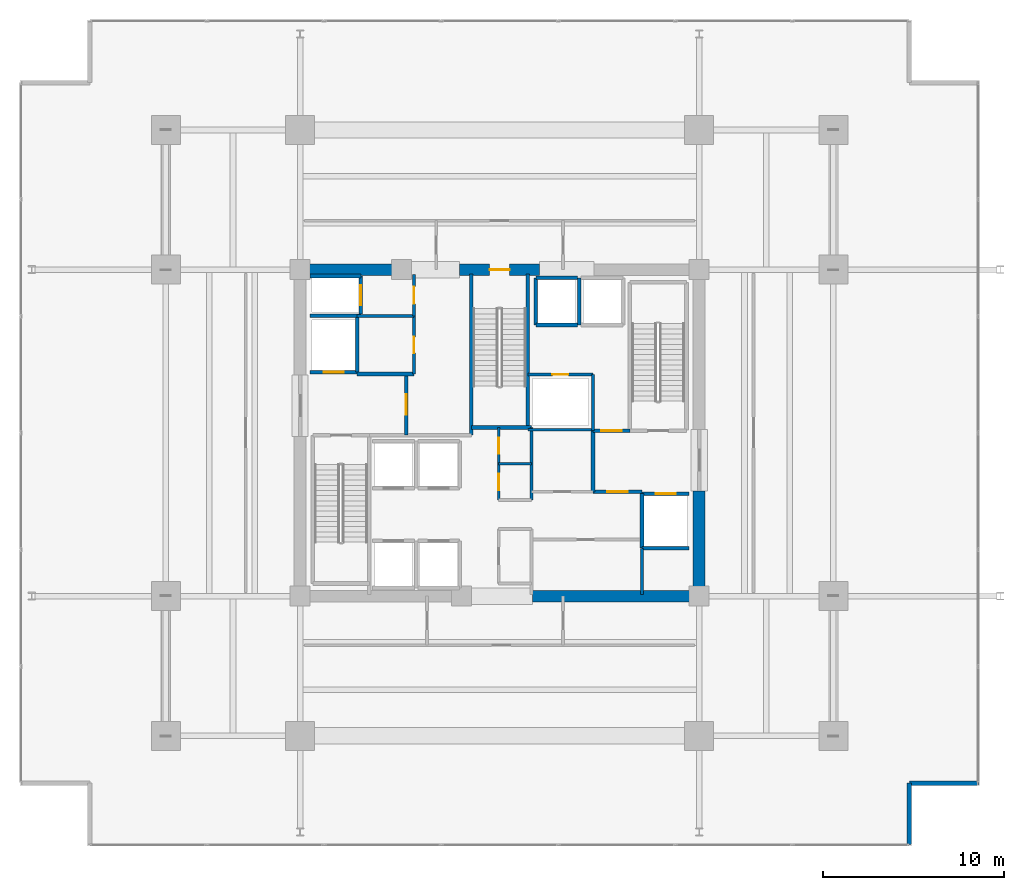
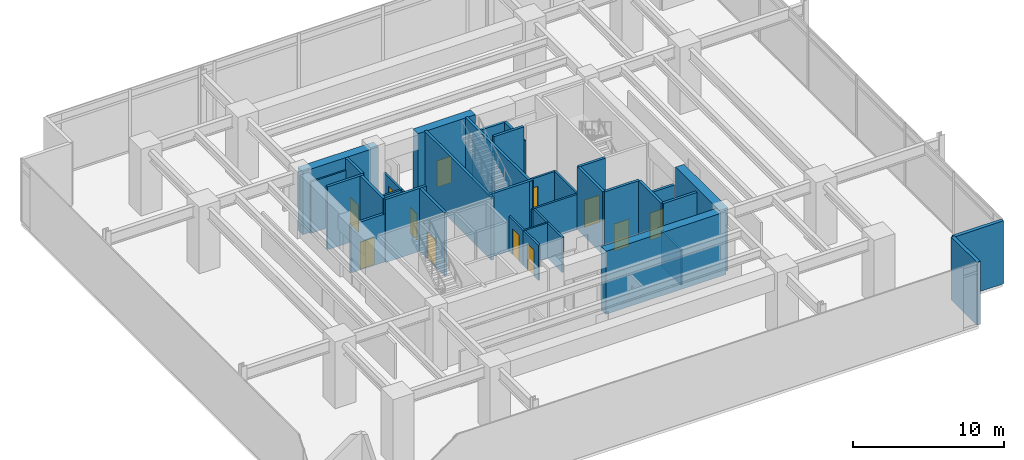
# One storey, part 21 of 23: 37 walls, 12 doors, 12 openings.
"""IFC4 building model written with IfcOpenShell, lengths in metres."""

from ifc_helpers import new_model, si_unit, direction, frame, frame_2d, origin, place, context, subcontext, project, spatial, rectangle, extrude, material, layer, layer_set, type_object, element, fill, save


model = new_model("IFC4")

# Units and contexts
model_context = context("Model", 3, precision=1e-05, world=origin(), true_north=direction((0.0, 1.0)))
body_context = subcontext(model_context, "Body", "Model", "MODEL_VIEW")
ifc_project = project(units=[si_unit("LENGTHUNIT", "METRE"), si_unit("AREAUNIT", "SQUARE_METRE"), si_unit("VOLUMEUNIT", "CUBIC_METRE"), si_unit("PLANEANGLEUNIT", "RADIAN"), si_unit("MASSUNIT", "GRAM", prefix="KILO")], contexts=[model_context])

# Site, building, storey
site_placement = place(None, origin())
site = spatial("IfcSite", under=ifc_project, at=site_placement, CompositionType="ELEMENT")
building_placement = place(site_placement, origin())
building = spatial("IfcBuilding", under=site, at=building_placement, Name="Kovane Verandah Tower", CompositionType="ELEMENT")
storey_placement = place(building_placement, frame((0.0, 0.0, 107.60009765625)))
storey = spatial("IfcBuildingStorey", under=building, at=storey_placement, Name="L25", CompositionType="ELEMENT", Elevation=107.60009765625)

# Wall
ifc_material_1 = material(Name="Fire-Rated Gypsum Stud Partition", Category="gypsum")
ifc_layer_1 = layer(ifc_material_1, 0.14990234375)
ifc_layer_set_1 = layer_set([ifc_layer_1], Name="Fire-Rated Gypsum Stud Partition")
wall_type_1 = type_object("IfcWallType", Name="WL-COR-150", PredefinedType="PARTITIONING", material=ifc_layer_set_1)
wall_1_placement = place(storey_placement, frame((41.760009765625, 23.800048828125, 0.0), z_axis=(0.0, 0.0, 1.0), x_axis=(0.0, 1.0, 0.0)))
element("IfcWall", 1, at=wall_1_placement, inside=storey, type_object=wall_type_1, Name="L25 Central Core Strip Upper East Wall", PredefinedType="PARTITIONING", context=body_context, shape_type="SweptSolid", body=[
    extrude(rectangle(XDim=4.0, YDim=0.14990234375, at=frame_2d((2.0, 0.0))), origin(), (0.0, 0.0, 1.0), 2.849853515625),
])

# Wall, opening, door
wall_2_placement = place(storey_placement, frame((39.949951171875, 23.800048828125, 0.0), z_axis=(0.0, 0.0, 1.0), x_axis=(0.0, 1.0, 0.0)))
wall_2 = element("IfcWall", 2, at=wall_2_placement, inside=storey, type_object=wall_type_1, Name="L25 Female Toilet Partition", PredefinedType="PARTITIONING", context=body_context, shape_type="SweptSolid", body=[
    extrude(rectangle(XDim=2.0, YDim=0.14990234375, at=frame_2d((1.0, 0.0))), origin(), (0.0, 0.0, 1.0), 2.849853515625),
])
opening_1_placement = place(wall_2_placement, frame((0.550048828125, 0.0, 0.0)))
opening_1 = element("IfcOpeningElement", 3, at=opening_1_placement, cuts=wall_2, Name="Opening DR-L25-023", PredefinedType="OPENING", context=body_context, shape_type="SweptSolid", body=[
    extrude(rectangle(XDim=0.89990234375, YDim=2.10009765625, at=frame_2d((0.449951171875, 1.050048828125))), frame((0.0, 0.074951171875, 0.0), z_axis=(0.0, -1.0, 0.0), x_axis=(1.0, 0.0, 0.0)), (0.0, 0.0, 1.0), 0.14990234375),
])
ifc_material_2 = material(Name="Moisture-Resistant Laminate Washroom Door", Category="wood")
door_type_1 = type_object("IfcDoorType", Name="DR-WC-900", OperationType="SINGLE_SWING_LEFT", PredefinedType="DOOR", material=ifc_material_2)
door_1_placement = place(opening_1_placement, origin())
door_1 = element("IfcDoor", 4, at=door_1_placement, inside=storey, type_object=door_type_1, Name="L25 Female Toilet Door", OperationType="SINGLE_SWING_RIGHT", OverallHeight=2.10009765625, OverallWidth=0.89990234375, PredefinedType="DOOR", context=body_context, shape_type="SweptSolid", body=[
    extrude(rectangle(XDim=0.89990234375, YDim=2.10009765625, at=frame_2d((0.449951171875, 1.050048828125))), frame((0.0, 0.02490234375, 0.0), z_axis=(0.0, -1.0, 0.0), x_axis=(1.0, 0.0, 0.0)), (0.0, 0.0, 1.0), 0.050048828125),
])
fill(opening_1, door_1)

wall_3_placement = place(storey_placement, frame((39.949951171875, 25.800048828125, 0.0), z_axis=(0.0, 0.0, 1.0), x_axis=(0.0, 1.0, 0.0)))
wall_3 = element("IfcWall", 5, at=wall_3_placement, inside=storey, type_object=wall_type_1, Name="L25 Telecom and BMS Riser Room Partition", PredefinedType="PARTITIONING", context=body_context, shape_type="SweptSolid", body=[
    extrude(rectangle(XDim=2.0, YDim=0.14990234375, at=frame_2d((1.0, 0.0))), origin(), (0.0, 0.0, 1.0), 2.849853515625),
])
opening_2_placement = place(wall_3_placement, frame((0.56005859375, 0.0, 0.0)))
opening_2 = element("IfcOpeningElement", 6, at=opening_2_placement, cuts=wall_3, Name="Opening DR-L25-020", PredefinedType="OPENING", context=body_context, shape_type="SweptSolid", body=[
    extrude(rectangle(XDim=0.8798828125, YDim=2.10009765625, at=frame_2d((0.43994140625, 1.050048828125))), frame((0.0, 0.074951171875, 0.0), z_axis=(0.0, -1.0, 0.0), x_axis=(1.0, 0.0, 0.0)), (0.0, 0.0, 1.0), 0.14990234375),
])
ifc_material_3 = material(Name="Fire-Rated Steel Riser Access Door", Category="steel")
door_type_2 = type_object("IfcDoorType", Name="DR-RISER-880", OperationType="SINGLE_SWING_LEFT", PredefinedType="DOOR", material=ifc_material_3)
door_2_placement = place(opening_2_placement, origin())
door_2 = element("IfcDoor", 7, at=door_2_placement, inside=storey, type_object=door_type_2, Name="L25 Telecom and BMS Riser Room Door", OperationType="SINGLE_SWING_LEFT", OverallHeight=2.10009765625, OverallWidth=0.8798828125, PredefinedType="DOOR", context=body_context, shape_type="SweptSolid", body=[
    extrude(rectangle(XDim=0.8798828125, YDim=2.10009765625, at=frame_2d((0.43994140625, 1.050048828125))), frame((0.0, 0.02490234375, 0.0), z_axis=(0.0, -1.0, 0.0), x_axis=(1.0, 0.0, 0.0)), (0.0, 0.0, 1.0), 0.050048828125),
])
fill(opening_2, door_2)

# Wall
wall_4_placement = place(storey_placement, frame((32.14990234375, 33.949951171875, 0.0), z_axis=(0.0, 0.0, 1.0), x_axis=(1.0, 0.0, 0.0)))
element("IfcWall", 8, at=wall_4_placement, inside=storey, type_object=wall_type_1, Name="L25 Goods Lift Lobby South Wall", PredefinedType="PARTITIONING", context=body_context, shape_type="SweptSolid", body=[
    extrude(rectangle(XDim=3.130126953125, YDim=0.14990234375, at=frame_2d((1.56494140625, 0.0))), origin(), (0.0, 0.0, 1.0), 2.849853515625),
])

# Wall, opening, door
wall_5_placement = place(storey_placement, frame((35.280029296875, 33.949951171875, 0.0), z_axis=(0.0, 0.0, 1.0), x_axis=(0.0, 1.0, 0.0)))
wall_5 = element("IfcWall", 9, at=wall_5_placement, inside=storey, type_object=wall_type_1, Name="L25 Goods Lift Lobby East Fire Partition", PredefinedType="PARTITIONING", context=body_context, shape_type="SweptSolid", body=[
    extrude(rectangle(XDim=2.27001953125, YDim=0.14990234375, at=frame_2d((1.135009765625, 0.0))), origin(), (0.0, 0.0, 1.0), 2.849853515625),
])
opening_3_placement = place(wall_5_placement, frame((0.659912109375, 0.0, 0.0)))
opening_3 = element("IfcOpeningElement", 10, at=opening_3_placement, cuts=wall_5, Name="Opening DR-L25-006", PredefinedType="OPENING", context=body_context, shape_type="SweptSolid", body=[
    extrude(rectangle(XDim=0.949951171875, YDim=2.14990234375, at=frame_2d((0.47509765625, 1.074951171875))), frame((0.0, 0.074951171875, 0.0), z_axis=(0.0, -1.0, 0.0), x_axis=(1.0, 0.0, 0.0)), (0.0, 0.0, 1.0), 0.14990234375),
])
ifc_material_4 = material(Name="Fire-Rated Steel Refuge and Lobby Door", Category="steel")
door_type_3 = type_object("IfcDoorType", Name="DR-FIRE-950", OperationType="SINGLE_SWING_LEFT", PredefinedType="DOOR", material=ifc_material_4)
door_3_placement = place(opening_3_placement, origin())
door_3 = element("IfcDoor", 11, at=door_3_placement, inside=storey, type_object=door_type_3, Name="L25 Goods Lift Lobby Fire Door", OperationType="SINGLE_SWING_RIGHT", OverallHeight=2.14990234375, OverallWidth=0.949951171875, PredefinedType="DOOR", context=body_context, shape_type="SweptSolid", body=[
    extrude(rectangle(XDim=0.949951171875, YDim=2.14990234375, at=frame_2d((0.47509765625, 1.074951171875))), frame((0.0, 0.02490234375, 0.0), z_axis=(0.0, -1.0, 0.0), x_axis=(1.0, 0.0, 0.0)), (0.0, 0.0, 1.0), 0.050048828125),
])
fill(opening_3, door_3)

wall_6_placement = place(storey_placement, frame((35.280029296875, 30.75, 0.0), z_axis=(0.0, 0.0, 1.0), x_axis=(0.0, 1.0, 0.0)))
wall_6 = element("IfcWall", 12, at=wall_6_placement, inside=storey, type_object=wall_type_1, Name="L25 Accessible Unisex Toilet Partition", PredefinedType="PARTITIONING", context=body_context, shape_type="SweptSolid", body=[
    extrude(rectangle(XDim=3.199951171875, YDim=0.14990234375, at=frame_2d((1.60009765625, 0.0))), origin(), (0.0, 0.0, 1.0), 2.849853515625),
])
opening_4_placement = place(wall_6_placement, frame((1.14990234375, 0.0, 0.0)))
opening_4 = element("IfcOpeningElement", 13, at=opening_4_placement, cuts=wall_6, Name="Opening DR-L25-022", PredefinedType="OPENING", context=body_context, shape_type="SweptSolid", body=[
    extrude(rectangle(XDim=0.89990234375, YDim=2.10009765625, at=frame_2d((0.449951171875, 1.050048828125))), frame((0.0, 0.074951171875, 0.0), z_axis=(0.0, -1.0, 0.0), x_axis=(1.0, 0.0, 0.0)), (0.0, 0.0, 1.0), 0.14990234375),
])
door_4_placement = place(opening_4_placement, origin())
door_4 = element("IfcDoor", 14, at=door_4_placement, inside=storey, type_object=door_type_1, Name="L25 Accessible Unisex Toilet Door", OperationType="SINGLE_SWING_LEFT", OverallHeight=2.10009765625, OverallWidth=0.89990234375, PredefinedType="DOOR", context=body_context, shape_type="SweptSolid", body=[
    extrude(rectangle(XDim=0.89990234375, YDim=2.10009765625, at=frame_2d((0.449951171875, 1.050048828125))), frame((0.0, 0.02490234375, 0.0), z_axis=(0.0, -1.0, 0.0), x_axis=(1.0, 0.0, 0.0)), (0.0, 0.0, 1.0), 0.050048828125),
])
fill(opening_4, door_4)

# Walls
wall_7_placement = place(storey_placement, frame((41.56005859375, 27.679931640625, 0.0), z_axis=(0.0, 0.0, 1.0), x_axis=(1.0, 0.0, 0.0)))
element("IfcWall", 15, at=wall_7_placement, inside=storey, type_object=wall_type_1, Name="L25 East Core Service Riser South Wall", PredefinedType="PARTITIONING", context=body_context, shape_type="SweptSolid", body=[
    extrude(rectangle(XDim=3.58984375, YDim=0.14990234375, at=frame_2d((1.794921875, 0.0))), origin(), (0.0, 0.0, 1.0), 2.849853515625),
])
wall_8_placement = place(storey_placement, frame((47.85009765625, 18.60009765625, 0.0), z_axis=(0.0, 0.0, 1.0), x_axis=(0.0, 1.0, 0.0)))
element("IfcWall", 16, at=wall_8_placement, inside=storey, type_object=wall_type_1, Name="L25 East Core Support East Wall", PredefinedType="PARTITIONING", context=body_context, shape_type="SweptSolid", body=[
    extrude(rectangle(XDim=2.539794921875, YDim=0.14990234375, at=frame_2d((1.27001953125, 0.0))), origin(), (0.0, 0.0, 1.0), 2.849853515625),
])
wall_9_placement = place(storey_placement, frame((45.14990234375, 27.6201171875, 0.0), z_axis=(0.0, 0.0, 1.0), x_axis=(0.0, 1.0, 0.0)))
element("IfcWall", 17, at=wall_9_placement, inside=storey, type_object=wall_type_1, Name="L25 East Core Service Riser East Wall", PredefinedType="PARTITIONING", context=body_context, shape_type="SweptSolid", body=[
    extrude(rectangle(XDim=3.099853515625, YDim=0.14990234375, at=frame_2d((1.5498046875, 0.0))), origin(), (0.0, 0.0, 1.0), 2.849853515625),
])

# Wall, opening, door
wall_10_placement = place(storey_placement, frame((41.56005859375, 30.719970703125, 0.0), z_axis=(0.0, 0.0, 1.0), x_axis=(1.0, 0.0, 0.0)))
wall_10 = element("IfcWall", 18, at=wall_10_placement, inside=storey, type_object=wall_type_1, Name="L25 Combined Chilled Water and Smoke Duct Room Partition", PredefinedType="PARTITIONING", context=body_context, shape_type="SweptSolid", body=[
    extrude(rectangle(XDim=3.58984375, YDim=0.14990234375, at=frame_2d((1.794921875, 0.0))), origin(), (0.0, 0.0, 1.0), 2.849853515625),
])
opening_5_placement = place(wall_10_placement, frame((1.35498046875, 0.0, 0.0)))
opening_5 = element("IfcOpeningElement", 19, at=opening_5_placement, cuts=wall_10, Name="Opening DR-L25-017", PredefinedType="OPENING", context=body_context, shape_type="SweptSolid", body=[
    extrude(rectangle(XDim=0.8798828125, YDim=2.10009765625, at=frame_2d((0.43994140625, 1.050048828125))), frame((0.0, 0.074951171875, 0.0), z_axis=(0.0, -1.0, 0.0), x_axis=(1.0, 0.0, 0.0)), (0.0, 0.0, 1.0), 0.14990234375),
])
door_5_placement = place(opening_5_placement, origin())
door_5 = element("IfcDoor", 20, at=door_5_placement, inside=storey, type_object=door_type_2, Name="L25 Combined Chilled Water and Smoke Duct Room Door", OperationType="SINGLE_SWING_RIGHT", OverallHeight=2.10009765625, OverallWidth=0.8798828125, PredefinedType="DOOR", context=body_context, shape_type="SweptSolid", body=[
    extrude(rectangle(XDim=0.8798828125, YDim=2.10009765625, at=frame_2d((0.43994140625, 1.050048828125))), frame((0.0, 0.02490234375, 0.0), z_axis=(0.0, -1.0, 0.0), x_axis=(1.0, 0.0, 0.0)), (0.0, 0.0, 1.0), 0.050048828125),
])
fill(opening_5, door_5)

# Walls
ifc_material_5 = material(Name="Concrete C80/95", Category="concrete")
ifc_layer_2 = layer(ifc_material_5, 0.64990234375)
ifc_layer_set_2 = layer_set([ifc_layer_2], Name="Concrete C80/95")
wall_type_2 = type_object("IfcWallType", Name="WL-CORE-650", PredefinedType="SHEAR", material=ifc_layer_set_2)
wall_11_placement = place(storey_placement, frame((41.800048828125, 18.5, 0.0), z_axis=(0.0, 0.0, 1.0), x_axis=(1.0, 0.0, 0.0)))
element("IfcWall", 21, at=wall_11_placement, inside=storey, type_object=wall_type_2, Name="L25 Core Shear Wall CS-2", PredefinedType="SHEAR", context=body_context, shape_type="SweptSolid", body=[
    extrude(rectangle(XDim=9.199951171875, YDim=0.64990234375, at=frame_2d((4.60009765625, 0.0))), origin(), (0.0, 0.0, 1.0), 5.099853515625),
])
wall_12_placement = place(storey_placement, frame((29.0, 36.5, 0.0), z_axis=(0.0, 0.0, 1.0), x_axis=(1.0, 0.0, 0.0)))
element("IfcWall", 22, at=wall_12_placement, inside=storey, type_object=wall_type_2, Name="L25 Core Shear Wall CN-1", PredefinedType="SHEAR", context=body_context, shape_type="SweptSolid", body=[
    extrude(rectangle(XDim=5.800048828125, YDim=0.64990234375, at=frame_2d((2.89990234375, 0.0))), origin(), (0.0, 0.0, 1.0), 5.099853515625),
])

# Wall, opening, door
wall_13_placement = place(storey_placement, frame((37.800048828125, 36.5, 0.0), z_axis=(0.0, 0.0, 1.0), x_axis=(1.0, 0.0, 0.0)))
wall_13 = element("IfcWall", 23, at=wall_13_placement, inside=storey, type_object=wall_type_2, Name="L25 Core Shear Wall CN-2", PredefinedType="SHEAR", context=body_context, shape_type="SweptSolid", body=[
    extrude(rectangle(XDim=4.39990234375, YDim=0.64990234375, at=frame_2d((2.199951171875, 0.0))), origin(), (0.0, 0.0, 1.0), 5.099853515625),
])
opening_6_placement = place(wall_13_placement, frame((1.64990234375, 0.0, 0.0)))
opening_6 = element("IfcOpeningElement", 24, at=opening_6_placement, cuts=wall_13, Name="Opening DR-L25-013", PredefinedType="OPENING", context=body_context, shape_type="SweptSolid", body=[
    extrude(rectangle(XDim=1.10009765625, YDim=2.14990234375, at=frame_2d((0.550048828125, 1.074951171875))), frame((0.0, 0.324951171875, 0.0), z_axis=(0.0, -1.0, 0.0), x_axis=(1.0, 0.0, 0.0)), (0.0, 0.0, 1.0), 0.64990234375),
])
ifc_material_6 = material(Name="Fire-Rated Steel Exit Door", Category="steel")
door_type_4 = type_object("IfcDoorType", Name="DR-STAIR-1100", OperationType="SINGLE_SWING_LEFT", PredefinedType="DOOR", material=ifc_material_6)
door_6_placement = place(opening_6_placement, origin())
door_6 = element("IfcDoor", 25, at=door_6_placement, inside=storey, type_object=door_type_4, Name="L25 ST-03 Fire Exit Stair Door", OperationType="SINGLE_SWING_RIGHT", OverallHeight=2.14990234375, OverallWidth=1.10009765625, PredefinedType="DOOR", context=body_context, shape_type="SweptSolid", body=[
    extrude(rectangle(XDim=1.10009765625, YDim=2.14990234375, at=frame_2d((0.550048828125, 1.074951171875))), frame((0.0, 0.02490234375, 0.0), z_axis=(0.0, -1.0, 0.0), x_axis=(1.0, 0.0, 0.0)), (0.0, 0.0, 1.0), 0.050048828125),
])
fill(opening_6, door_6)

# Wall
wall_14_placement = place(storey_placement, frame((51.0, 18.5, 0.0), z_axis=(0.0, 0.0, 1.0), x_axis=(0.0, 1.0, 0.0)))
element("IfcWall", 26, at=wall_14_placement, inside=storey, type_object=wall_type_2, Name="L25 Core Shear Wall CE-1", PredefinedType="SHEAR", context=body_context, shape_type="SweptSolid", body=[
    extrude(rectangle(XDim=5.800048828125, YDim=0.64990234375, at=frame_2d((2.89990234375, 0.0))), origin(), (0.0, 0.0, 1.0), 5.099853515625),
])

# Wall, opening, door
ifc_material_7 = material(Name="Concrete C45/55 Fire Wall", Category="concrete")
ifc_layer_3 = layer(ifc_material_7, 0.199951171875)
ifc_layer_set_3 = layer_set([ifc_layer_3], Name="Concrete C45/55 Fire Wall")
wall_type_3 = type_object("IfcWallType", Name="WL-FFL-200", PredefinedType="PARTITIONING", material=ifc_layer_set_3)
wall_15_placement = place(storey_placement, frame((34.85009765625, 27.3798828125, 0.0), z_axis=(0.0, 0.0, 1.0), x_axis=(0.0, 1.0, 0.0)))
wall_15 = element("IfcWall", 27, at=wall_15_placement, inside=storey, type_object=wall_type_3, Name="W-L25-FFLW-E", PredefinedType="PARTITIONING", context=body_context, shape_type="SweptSolid", body=[
    extrude(rectangle(XDim=3.3701171875, YDim=0.199951171875, at=frame_2d((1.68505859375, 0.0))), origin(), (0.0, 0.0, 1.0), 5.099853515625),
])
opening_7_placement = place(wall_15_placement, frame((1.110107421875, 0.0, 0.0)))
opening_7 = element("IfcOpeningElement", 28, at=opening_7_placement, cuts=wall_15, Name="Opening DR-L25-004", PredefinedType="OPENING", context=body_context, shape_type="SweptSolid", body=[
    extrude(rectangle(XDim=1.14990234375, YDim=2.199951171875, at=frame_2d((0.574951171875, 1.10009765625))), frame((0.0, 0.10009765625, 0.0), z_axis=(0.0, -1.0, 0.0), x_axis=(1.0, 0.0, 0.0)), (0.0, 0.0, 1.0), 0.199951171875),
])
ifc_material_8 = material(Name="Smoke-Sealed Firefighting Lobby Door", Category="steel")
door_type_5 = type_object("IfcDoorType", Name="DR-FFL-1150", OperationType="SINGLE_SWING_LEFT", PredefinedType="DOOR", material=ifc_material_8)
door_7_placement = place(opening_7_placement, origin())
door_7 = element("IfcDoor", 29, at=door_7_placement, inside=storey, type_object=door_type_5, Name="L25 West Firefighting Lobby Inner Door", OperationType="SINGLE_SWING_LEFT", OverallHeight=2.199951171875, OverallWidth=1.14990234375, PredefinedType="DOOR", context=body_context, shape_type="SweptSolid", body=[
    extrude(rectangle(XDim=1.14990234375, YDim=2.199951171875, at=frame_2d((0.574951171875, 1.10009765625))), frame((0.0, 0.02490234375, 0.0), z_axis=(0.0, -1.0, 0.0), x_axis=(1.0, 0.0, 0.0)), (0.0, 0.0, 1.0), 0.050048828125),
])
fill(opening_7, door_7)

# Walls
wall_16_placement = place(storey_placement, frame((32.14990234375, 30.75, 0.0), z_axis=(0.0, 0.0, 1.0), x_axis=(1.0, 0.0, 0.0)))
element("IfcWall", 30, at=wall_16_placement, inside=storey, type_object=wall_type_3, Name="L25 West Firefighting Lobby North Fire Wall", PredefinedType="PARTITIONING", context=body_context, shape_type="SweptSolid", body=[
    extrude(rectangle(XDim=3.130126953125, YDim=0.199951171875, at=frame_2d((1.56494140625, 0.0))), origin(), (0.0, 0.0, 1.0), 5.099853515625),
])
wall_17_placement = place(storey_placement, frame((45.14990234375, 24.25, 0.0), z_axis=(0.0, 0.0, 1.0), x_axis=(0.0, 1.0, 0.0)))
element("IfcWall", 31, at=wall_17_placement, inside=storey, type_object=wall_type_3, Name="L25 East Firefighting Lobby West Fire Wall", PredefinedType="PARTITIONING", context=body_context, shape_type="SweptSolid", body=[
    extrude(rectangle(XDim=3.3701171875, YDim=0.199951171875, at=frame_2d((1.68505859375, 0.0))), origin(), (0.0, 0.0, 1.0), 5.099853515625),
])

# Wall, opening, door
wall_18_placement = place(storey_placement, frame((45.14990234375, 24.25, 0.0), z_axis=(0.0, 0.0, 1.0), x_axis=(1.0, 0.0, 0.0)))
wall_18 = element("IfcWall", 32, at=wall_18_placement, inside=storey, type_object=wall_type_3, Name="W-L25-FFLE-S", PredefinedType="PARTITIONING", context=body_context, shape_type="SweptSolid", body=[
    extrude(rectangle(XDim=2.7001953125, YDim=0.199951171875, at=frame_2d((1.35009765625, 0.0))), origin(), (0.0, 0.0, 1.0), 5.099853515625),
])
opening_8_placement = place(wall_18_placement, frame((0.77490234375, 0.0, 0.0)))
opening_8 = element("IfcOpeningElement", 33, at=opening_8_placement, cuts=wall_18, Name="Opening DR-L25-001", PredefinedType="OPENING", context=body_context, shape_type="SweptSolid", body=[
    extrude(rectangle(XDim=1.14990234375, YDim=2.199951171875, at=frame_2d((0.574951171875, 1.10009765625))), frame((0.0, 0.10009765625, 0.0), z_axis=(0.0, -1.0, 0.0), x_axis=(1.0, 0.0, 0.0)), (0.0, 0.0, 1.0), 0.199951171875),
])
door_8_placement = place(opening_8_placement, origin())
door_8 = element("IfcDoor", 34, at=door_8_placement, inside=storey, type_object=door_type_5, Name="L25 East Firefighting Lobby Inner Door", OperationType="SINGLE_SWING_RIGHT", OverallHeight=2.199951171875, OverallWidth=1.14990234375, PredefinedType="DOOR", context=body_context, shape_type="SweptSolid", body=[
    extrude(rectangle(XDim=1.14990234375, YDim=2.199951171875, at=frame_2d((0.574951171875, 1.10009765625))), frame((0.0, 0.02490234375, 0.0), z_axis=(0.0, -1.0, 0.0), x_axis=(1.0, 0.0, 0.0)), (0.0, 0.0, 1.0), 0.050048828125),
])
fill(opening_8, door_8)

wall_19_placement = place(storey_placement, frame((45.14990234375, 27.6201171875, 0.0), z_axis=(0.0, 0.0, 1.0), x_axis=(1.0, 0.0, 0.0)))
wall_19 = element("IfcWall", 35, at=wall_19_placement, inside=storey, type_object=wall_type_3, Name="W-L25-FFLE-N", PredefinedType="PARTITIONING", context=body_context, shape_type="SweptSolid", body=[
    extrude(rectangle(XDim=2.030029296875, YDim=0.199951171875, at=frame_2d((1.01513671875, 0.0))), origin(), (0.0, 0.0, 1.0), 5.099853515625),
])
opening_9_placement = place(wall_19_placement, frame((0.43994140625, 0.0, 0.0)))
opening_9 = element("IfcOpeningElement", 36, at=opening_9_placement, cuts=wall_19, Name="Opening DR-L25-002", PredefinedType="OPENING", context=body_context, shape_type="SweptSolid", body=[
    extrude(rectangle(XDim=1.14990234375, YDim=2.199951171875, at=frame_2d((0.574951171875, 1.10009765625))), frame((0.0, 0.10009765625, 0.0), z_axis=(0.0, -1.0, 0.0), x_axis=(1.0, 0.0, 0.0)), (0.0, 0.0, 1.0), 0.199951171875),
])
door_9_placement = place(opening_9_placement, origin())
door_9 = element("IfcDoor", 37, at=door_9_placement, inside=storey, type_object=door_type_5, Name="L25 East Firefighting Lobby Shuttle Link Door", OperationType="SINGLE_SWING_LEFT", OverallHeight=2.199951171875, OverallWidth=1.14990234375, PredefinedType="DOOR", context=body_context, shape_type="SweptSolid", body=[
    extrude(rectangle(XDim=1.14990234375, YDim=2.199951171875, at=frame_2d((0.574951171875, 1.10009765625))), frame((0.0, 0.02490234375, 0.0), z_axis=(0.0, -1.0, 0.0), x_axis=(1.0, 0.0, 0.0)), (0.0, 0.0, 1.0), 0.050048828125),
])
fill(opening_9, door_9)

ifc_material_9 = material(Name="Concrete C45/55 Lift Shaft Wall", Category="concrete")
ifc_layer_4 = layer(ifc_material_9, 0.199951171875)
ifc_layer_set_4 = layer_set([ifc_layer_4], Name="Concrete C45/55 Lift Shaft Wall")
wall_type_4 = type_object("IfcWallType", Name="WL-LIFT-200", PredefinedType="SOLIDWALL", material=ifc_layer_set_4)
wall_20_placement = place(storey_placement, frame((29.550048828125, 30.85009765625, 0.0), z_axis=(0.0, 0.0, 1.0), x_axis=(1.0, 0.0, 0.0)))
wall_20 = element("IfcWall", 38, at=wall_20_placement, inside=storey, type_object=wall_type_4, Name="L25 Lift FL-01 S Shaft Wall", PredefinedType="SOLIDWALL", context=body_context, shape_type="SweptSolid", body=[
    extrude(rectangle(XDim=2.599853515625, YDim=0.199951171875, at=frame_2d((1.2998046875, 0.0))), origin(), (0.0, 0.0, 1.0), 3.8798828125),
])
opening_10_placement = place(wall_20_placement, frame((0.75, 0.0, 0.0)))
opening_10 = element("IfcOpeningElement", 39, at=opening_10_placement, cuts=wall_20, Name="Opening LD-L25-001", PredefinedType="OPENING", context=body_context, shape_type="SweptSolid", body=[
    extrude(rectangle(XDim=1.10009765625, YDim=2.199951171875, at=frame_2d((0.550048828125, 1.10009765625))), frame((0.0, 0.10009765625, 0.0), z_axis=(0.0, -1.0, 0.0), x_axis=(1.0, 0.0, 0.0)), (0.0, 0.0, 1.0), 0.199951171875),
])
ifc_material_10 = material(Name="Brushed Stainless Steel Sliding Lift Landing Door", Category="steel")
door_type_6 = type_object("IfcDoorType", Name="DR-LIFT-1100", OperationType="SLIDING_TO_RIGHT", PredefinedType="DOOR", material=ifc_material_10)
door_10_placement = place(opening_10_placement, origin())
door_10 = element("IfcDoor", 40, at=door_10_placement, inside=storey, type_object=door_type_6, Name="L25 Lift FL-01 Sliding Landing Door", OperationType="SLIDING_TO_RIGHT", OverallHeight=2.199951171875, OverallWidth=1.10009765625, PredefinedType="DOOR", context=body_context, shape_type="SweptSolid", body=[
    extrude(rectangle(XDim=1.10009765625, YDim=2.199951171875, at=frame_2d((0.550048828125, 1.10009765625))), frame((0.0, 0.02490234375, 0.0), z_axis=(0.0, -1.0, 0.0), x_axis=(1.0, 0.0, 0.0)), (0.0, 0.0, 1.0), 0.050048828125),
])
fill(opening_10, door_10)

# Walls
wall_21_placement = place(storey_placement, frame((29.550048828125, 33.949951171875, 0.0), z_axis=(0.0, 0.0, 1.0), x_axis=(1.0, 0.0, 0.0)))
element("IfcWall", 41, at=wall_21_placement, inside=storey, type_object=wall_type_4, Name="L25 Lift FL-01 and GL-01 Shared Shaft Wall", PredefinedType="SOLIDWALL", context=body_context, shape_type="SweptSolid", body=[
    extrude(rectangle(XDim=2.800048828125, YDim=0.199951171875, at=frame_2d((1.39990234375, 0.0))), origin(), (0.0, 0.0, 1.0), 5.099853515625),
])
wall_22_placement = place(storey_placement, frame((32.14990234375, 30.85009765625, 0.0), z_axis=(0.0, 0.0, 1.0), x_axis=(0.0, 1.0, 0.0)))
element("IfcWall", 42, at=wall_22_placement, inside=storey, type_object=wall_type_4, Name="L25 Lift FL-01 E Shaft Wall", PredefinedType="SOLIDWALL", context=body_context, shape_type="SweptSolid", body=[
    extrude(rectangle(XDim=3.0, YDim=0.199951171875, at=frame_2d((1.5, 0.0))), origin(), (0.0, 0.0, 1.0), 5.099853515625),
])
wall_23_placement = place(storey_placement, frame((47.85009765625, 21.14990234375, 0.0), z_axis=(0.0, 0.0, 1.0), x_axis=(1.0, 0.0, 0.0)))
element("IfcWall", 43, at=wall_23_placement, inside=storey, type_object=wall_type_4, Name="L25 Lift FL-02 S Shaft Wall", PredefinedType="SOLIDWALL", context=body_context, shape_type="SweptSolid", body=[
    extrude(rectangle(XDim=2.599853515625, YDim=0.199951171875, at=frame_2d((1.2998046875, 0.0))), origin(), (0.0, 0.0, 1.0), 5.099853515625),
])

# Wall, opening, door
wall_24_placement = place(storey_placement, frame((50.449951171875, 24.14990234375, 0.0), z_axis=(0.0, 0.0, 1.0), x_axis=(-1.0, 0.0, 0.0)))
wall_24 = element("IfcWall", 44, at=wall_24_placement, inside=storey, type_object=wall_type_4, Name="L25 Lift FL-02 N Shaft Wall", PredefinedType="SOLIDWALL", context=body_context, shape_type="SweptSolid", body=[
    extrude(rectangle(XDim=2.599853515625, YDim=0.199951171875, at=frame_2d((1.2998046875, 0.0))), origin(), (0.0, 0.0, 1.0), 3.8798828125),
])
opening_11_placement = place(wall_24_placement, frame((0.75, 0.0, 0.0)))
opening_11 = element("IfcOpeningElement", 45, at=opening_11_placement, cuts=wall_24, Name="Opening LD-L25-002", PredefinedType="OPENING", context=body_context, shape_type="SweptSolid", body=[
    extrude(rectangle(XDim=1.10009765625, YDim=2.199951171875, at=frame_2d((0.550048828125, 1.10009765625))), frame((0.0, 0.10009765625, 0.0), z_axis=(0.0, -1.0, 0.0), x_axis=(1.0, 0.0, 0.0)), (0.0, 0.0, 1.0), 0.199951171875),
])
door_11_placement = place(opening_11_placement, origin())
door_11 = element("IfcDoor", 46, at=door_11_placement, inside=storey, type_object=door_type_6, Name="L25 Lift FL-02 Sliding Landing Door", OperationType="SLIDING_TO_RIGHT", OverallHeight=2.199951171875, OverallWidth=1.10009765625, PredefinedType="DOOR", context=body_context, shape_type="SweptSolid", body=[
    extrude(rectangle(XDim=1.10009765625, YDim=2.199951171875, at=frame_2d((0.550048828125, 1.10009765625))), frame((0.0, 0.02490234375, 0.0), z_axis=(0.0, -1.0, 0.0), x_axis=(1.0, 0.0, 0.0)), (0.0, 0.0, 1.0), 0.050048828125),
])
fill(opening_11, door_11)

# Walls
wall_25_placement = place(storey_placement, frame((47.85009765625, 24.14990234375, 0.0), z_axis=(0.0, 0.0, 1.0), x_axis=(0.0, -1.0, 0.0)))
element("IfcWall", 47, at=wall_25_placement, inside=storey, type_object=wall_type_4, Name="L25 Lift FL-02 W Shaft Wall", PredefinedType="SOLIDWALL", context=body_context, shape_type="SweptSolid", body=[
    extrude(rectangle(XDim=3.0, YDim=0.199951171875, at=frame_2d((1.5, 0.0))), origin(), (0.0, 0.0, 1.0), 5.099853515625),
])
wall_26_placement = place(storey_placement, frame((32.35009765625, 36.14990234375, 0.0), z_axis=(0.0, 0.0, 1.0), x_axis=(-1.0, 0.0, 0.0)))
element("IfcWall", 48, at=wall_26_placement, inside=storey, type_object=wall_type_4, Name="L25 Lift GL-01 N Shaft Wall", PredefinedType="SOLIDWALL", context=body_context, shape_type="SweptSolid", body=[
    extrude(rectangle(XDim=2.800048828125, YDim=0.199951171875, at=frame_2d((1.39990234375, 0.0))), origin(), (0.0, 0.0, 1.0), 4.1533203125),
])

# Wall, opening, door
wall_27_placement = place(storey_placement, frame((32.35009765625, 34.050048828125, 0.0), z_axis=(0.0, 0.0, 1.0), x_axis=(0.0, 1.0, 0.0)))
wall_27 = element("IfcWall", 49, at=wall_27_placement, inside=storey, type_object=wall_type_4, Name="L25 Lift GL-01 E Shaft Wall", PredefinedType="SOLIDWALL", context=body_context, shape_type="SweptSolid", body=[
    extrude(rectangle(XDim=2.099853515625, YDim=0.199951171875, at=frame_2d((1.0498046875, 0.0))), origin(), (0.0, 0.0, 1.0), 5.099853515625),
])
opening_12_placement = place(wall_27_placement, frame((0.5, 0.0, 0.0)))
opening_12 = element("IfcOpeningElement", 50, at=opening_12_placement, cuts=wall_27, Name="Opening LD-L25-003", PredefinedType="OPENING", context=body_context, shape_type="SweptSolid", body=[
    extrude(rectangle(XDim=1.10009765625, YDim=2.199951171875, at=frame_2d((0.550048828125, 1.10009765625))), frame((0.0, 0.10009765625, 0.0), z_axis=(0.0, -1.0, 0.0), x_axis=(1.0, 0.0, 0.0)), (0.0, 0.0, 1.0), 0.199951171875),
])
door_12_placement = place(opening_12_placement, origin())
door_12 = element("IfcDoor", 51, at=door_12_placement, inside=storey, type_object=door_type_6, Name="L25 Lift GL-01 Sliding Landing Door", OperationType="SLIDING_TO_RIGHT", OverallHeight=2.199951171875, OverallWidth=1.10009765625, PredefinedType="DOOR", context=body_context, shape_type="SweptSolid", body=[
    extrude(rectangle(XDim=1.10009765625, YDim=2.199951171875, at=frame_2d((0.550048828125, 1.10009765625))), frame((0.0, 0.02490234375, 0.0), z_axis=(0.0, -1.0, 0.0), x_axis=(1.0, 0.0, 0.0)), (0.0, 0.0, 1.0), 0.050048828125),
])
fill(opening_12, door_12)

# Walls
wall_28_placement = place(storey_placement, frame((42.0, 33.449951171875, 0.0), z_axis=(0.0, 0.0, 1.0), x_axis=(1.0, 0.0, 0.0)))
element("IfcWall", 52, at=wall_28_placement, inside=storey, type_object=wall_type_4, Name="L25 Lift SL-01 S Shaft Wall", PredefinedType="SOLIDWALL", context=body_context, shape_type="SweptSolid", body=[
    extrude(rectangle(XDim=2.300048828125, YDim=0.199951171875, at=frame_2d((1.14990234375, 0.0))), origin(), (0.0, 0.0, 1.0), 5.099853515625),
])
wall_29_placement = place(storey_placement, frame((44.300048828125, 36.050048828125, 0.0), z_axis=(0.0, 0.0, 1.0), x_axis=(-1.0, 0.0, 0.0)))
element("IfcWall", 53, at=wall_29_placement, inside=storey, type_object=wall_type_4, Name="L25 Lift SL-01 N Shaft Wall", PredefinedType="SOLIDWALL", context=body_context, shape_type="SweptSolid", body=[
    extrude(rectangle(XDim=2.300048828125, YDim=0.199951171875, at=frame_2d((1.14990234375, 0.0))), origin(), (0.0, 0.0, 1.0), 3.8798828125),
])
for number, where, z_axis, x_axis, name in (
    (54, (42.0, 36.050048828125, 0.0), (0.0, 0.0, 1.0), (0.0, -1.0, 0.0), "L25 Lift SL-01 W Shaft Wall"),
    (55, (44.39990234375, 33.449951171875, 0.0), (0.0, 0.0, 1.0), (0.0, 1.0, 0.0), "L25 Lift OL-01 and SL-01 Shared Shaft Wall"),
):
    element("IfcWall", number, at=place(storey_placement, frame(where, z_axis=z_axis, x_axis=x_axis)), inside=storey, type_object=wall_type_4, Name=name, PredefinedType="SOLIDWALL", context=body_context, shape_type="SweptSolid", body=[
        extrude(rectangle(XDim=2.60009765625, YDim=0.199951171875, at=frame_2d((1.300048828125, 0.0))), origin(), (0.0, 0.0, 1.0), 3.8798828125),
    ])
ifc_material_11 = material(Name="Acoustic Fire-Rated Gypsum Partition", Category="gypsum")
ifc_layer_5 = layer(ifc_material_11, 0.1201171875)
ifc_layer_set_5 = layer_set([ifc_layer_5], Name="Acoustic Fire-Rated Gypsum Partition")
wall_type_5 = type_object("IfcWallType", Name="WL-PART-120", PredefinedType="PARTITIONING", material=ifc_layer_set_5)
wall_30_placement = place(storey_placement, frame((39.949951171875, 25.800048828125, 0.0), z_axis=(0.0, 0.0, 1.0), x_axis=(1.0, 0.0, 0.0)))
element("IfcWall", 56, at=wall_30_placement, inside=storey, type_object=wall_type_5, Name="L25 Central Core Strip Upper Dividing Partition", PredefinedType="PARTITIONING", context=body_context, shape_type="SweptSolid", body=[
    extrude(rectangle(XDim=1.81005859375, YDim=0.1201171875, at=frame_2d((0.905029296875, 0.0))), origin(), (0.0, 0.0, 1.0), 2.849853515625),
])
ifc_material_12 = material(Name="Concrete C45/55", Category="concrete")
ifc_layer_6 = layer(ifc_material_12, 0.199951171875)
ifc_layer_set_6 = layer_set([ifc_layer_6], Name="Concrete C45/55")
wall_type_6 = type_object("IfcWallType", Name="WL-SHAFT-200", PredefinedType="SOLIDWALL", material=ifc_layer_set_6)
wall_31_placement = place(storey_placement, frame((38.43994140625, 27.3798828125, 0.0), z_axis=(0.0, 0.0, 1.0), x_axis=(0.0, 1.0, 0.0)))
element("IfcWall", 57, at=wall_31_placement, inside=storey, type_object=wall_type_6, Name="W-L25-ST03-W", PredefinedType="SOLIDWALL", context=body_context, shape_type="SweptSolid", body=[
    extrude(rectangle(XDim=8.8701171875, YDim=0.199951171875, at=frame_2d((4.43505859375, 0.0))), origin(), (0.0, 0.0, 1.0), 5.099853515625),
])
wall_32_placement = place(storey_placement, frame((41.56005859375, 27.679931640625, 0.0), z_axis=(0.0, 0.0, 1.0), x_axis=(0.0, 1.0, 0.0)))
element("IfcWall", 58, at=wall_32_placement, inside=storey, type_object=wall_type_6, Name="W-L25-ST03-E", PredefinedType="SOLIDWALL", context=body_context, shape_type="SweptSolid", body=[
    extrude(rectangle(XDim=8.570068359375, YDim=0.199951171875, at=frame_2d((4.28515625, 0.0))), origin(), (0.0, 0.0, 1.0), 5.099853515625),
])
wall_33_placement = place(storey_placement, frame((38.43994140625, 27.800048828125, 0.0), z_axis=(0.0, 0.0, 1.0), x_axis=(1.0, 0.0, 0.0)))
element("IfcWall", 59, at=wall_33_placement, inside=storey, type_object=wall_type_6, Name="W-L25-ST03-S", PredefinedType="SOLIDWALL", context=body_context, shape_type="SweptSolid", body=[
    extrude(rectangle(XDim=3.320068359375, YDim=0.199951171875, at=frame_2d((1.66015625, 0.0))), origin(), (0.0, 0.0, 1.0), 5.099853515625),
])
ifc_material_13 = material(Name="Concrete C45/55 Insulated Spandrel Wall", Category="concrete")
ifc_layer_7 = layer(ifc_material_13, 0.260009765625)
ifc_layer_set_7 = layer_set([ifc_layer_7], Name="Concrete C45/55 Insulated Spandrel Wall")
wall_type_7 = type_object("IfcWallType", Name="WL-SPANDREL-260", PredefinedType="PARAPET", material=ifc_layer_set_7)
wall_34_placement = place(storey_placement, frame((62.5869140625, 4.7890625, 0.0), z_axis=(0.0, 0.0, 1.0), x_axis=(0.0, 1.0, 0.0)))
element("IfcWall", 60, at=wall_34_placement, inside=storey, type_object=wall_type_7, Name="L25 SE Notch Cheek Wall 1", PredefinedType="PARAPET", context=body_context, shape_type="SweptSolid", body=[
    extrude(rectangle(XDim=3.400146484375, YDim=0.260009765625, at=frame_2d((1.7001953125, 0.0))), origin(), (0.0, 0.0, 1.0), 5.099853515625),
])
wall_35_placement = place(storey_placement, frame((62.5869140625, 8.189208984375, 0.0), z_axis=(0.0, 0.0, 1.0), x_axis=(1.0, 0.0, 0.0)))
element("IfcWall", 61, at=wall_35_placement, inside=storey, type_object=wall_type_7, Name="L25 SE Notch Cheek Wall 2", PredefinedType="PARAPET", context=body_context, shape_type="SweptSolid", body=[
    extrude(rectangle(XDim=3.800048828125, YDim=0.260009765625, at=frame_2d((1.89990234375, 0.0))), origin(), (0.0, 0.0, 1.0), 5.099853515625),
])

save(model, "model.ifc")
